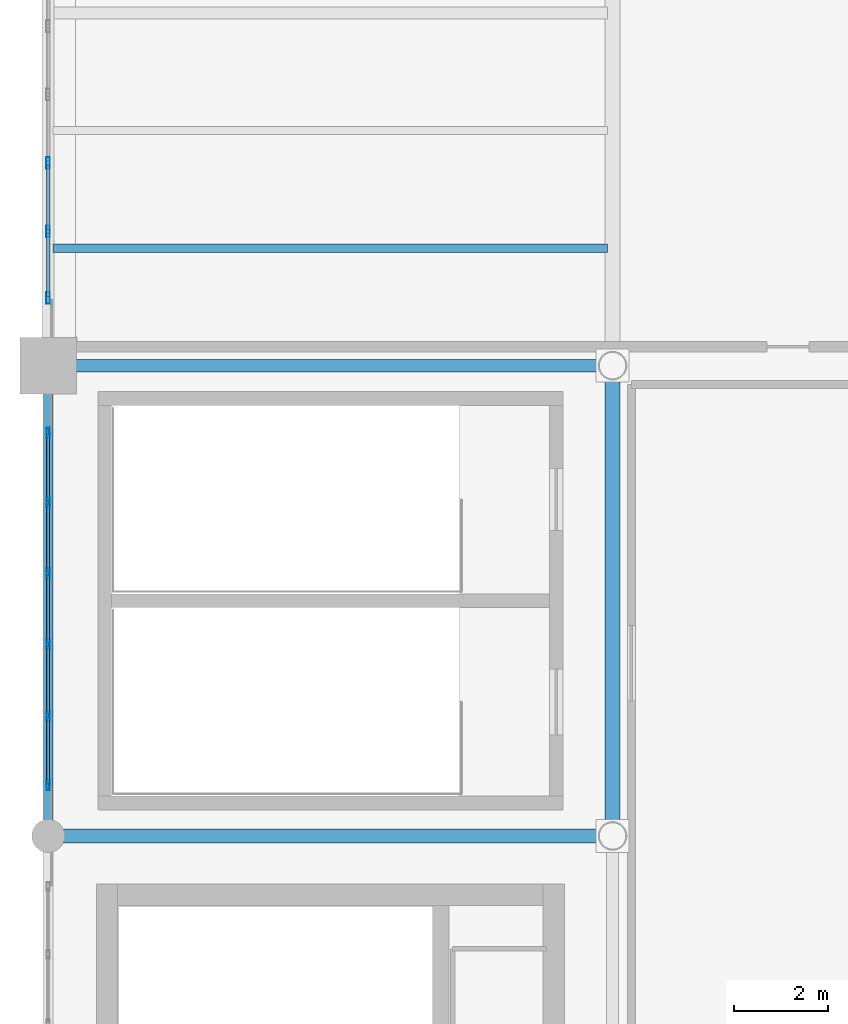
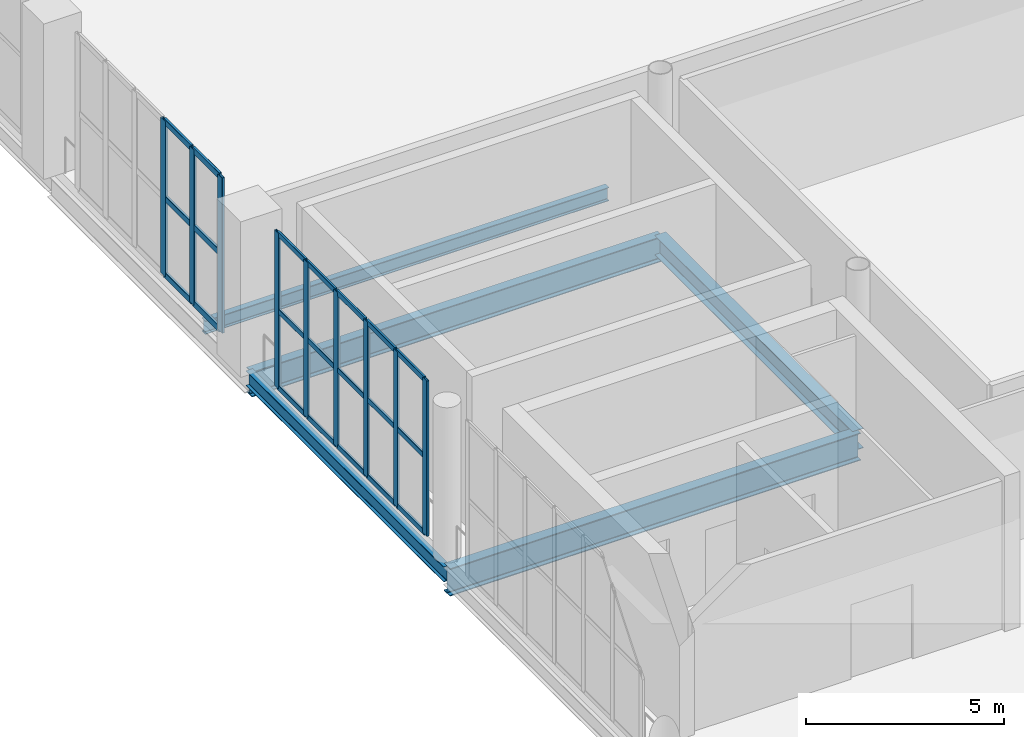
# One storey, part 15 of 49: 30 members, 5 beams, 2 elements without a shape of their own.
"""IFC4 building model written with IfcOpenShell, lengths in metres."""

from ifc_helpers import new_model, si_unit, direction, frame, origin, origin_2d, place, context, subcontext, project, spatial, hollow_rectangle, i_section, extrude, material, layer, layer_set, material_profile, profile_set, type_object, element, aggregate, save


model = new_model("IFC4")

# Units and contexts
model_context = context("Model", 3, precision=1e-05, world=origin(), true_north=direction((0.0, 1.0)))
body_context = subcontext(model_context, "Body", "Model", "MODEL_VIEW")
ifc_project = project(units=[si_unit("LENGTHUNIT", "METRE"), si_unit("AREAUNIT", "SQUARE_METRE"), si_unit("VOLUMEUNIT", "CUBIC_METRE"), si_unit("PLANEANGLEUNIT", "RADIAN"), si_unit("MASSUNIT", "GRAM", prefix="KILO")], contexts=[model_context])

# Site, building, storey
site_placement = place(None, origin())
site = spatial("IfcSite", under=ifc_project, at=site_placement, CompositionType="ELEMENT")
building_placement = place(site_placement, origin())
building = spatial("IfcBuilding", under=site, at=building_placement, Name="Brinegate Civic Arena", CompositionType="ELEMENT")
storey_placement = place(building_placement, frame((0.0, 0.0, 24.60009765625)))
storey = spatial("IfcBuildingStorey", under=building, at=storey_placement, Name="L05", CompositionType="ELEMENT", Elevation=24.60009765625)

# Curtain wall, members
ifc_material_1 = material(Name="Marine grade aluminium", Category="aluminium")
ifc_layer = layer(ifc_material_1, 0.199951171875, Name="Marine grade aluminium")
ifc_layer_set = layer_set([ifc_layer], Name="Marine grade aluminium")
curtain_wall_type = type_object("IfcCurtainWallType", Name="CW-BOWL-GLAZED-01", PredefinedType="USERDEFINED", material=ifc_layer_set)
curtain_wall_1_placement = place(storey_placement, origin())
curtain_wall_1 = element("IfcCurtainWall", 1, at=curtain_wall_1_placement, inside=storey, type_object=curtain_wall_type, Name="Curtain Wall CWA-157", ObjectType="GLAZED CURTAIN WALL", PredefinedType="USERDEFINED")
ifc_material_profile_1 = material_profile(ifc_material_1, hollow_rectangle(XDim=0.06494140625, YDim=0.219970703125, WallThickness=0.006103515625, InnerFilletRadius=0.00390625, OuterFilletRadius=0.008056640625, at=origin_2d()), Name="MUL65X220")
ifc_profile_set_1 = profile_set([ifc_material_profile_1], Name="Marine grade aluminium")
member_type_1 = type_object("IfcMemberType", Name="CW-MULLION-65X220", PredefinedType="MULLION", material=ifc_profile_set_1)
member_1_placement = place(storey_placement, frame((48.0, 43.077392578125, 0.0), z_axis=(0.0, 0.0, 1.0), x_axis=(-1.0, 0.0, 0.0)))
member_1 = element("IfcMember", 2, at=member_1_placement, type_object=member_type_1, Name="CWA-157 mullion 1", PredefinedType="MULLION", context=body_context, shape_type="SweptSolid", body=[
    extrude(hollow_rectangle(XDim=0.06494140625, YDim=0.219970703125, WallThickness=0.006103515625, InnerFilletRadius=0.00390625, OuterFilletRadius=0.008056640625, at=origin_2d()), origin(), (0.0, 0.0, 1.0), 4.7998046875),
])
member_2_placement = place(storey_placement, frame((48.0, 44.55615234375, 0.0), z_axis=(0.0, 0.0, 1.0), x_axis=(-1.0, 0.0, 0.0)))
member_2 = element("IfcMember", 3, at=member_2_placement, type_object=member_type_1, Name="CWA-157 mullion 2", PredefinedType="MULLION", context=body_context, shape_type="SweptSolid", body=[
    extrude(hollow_rectangle(XDim=0.06494140625, YDim=0.219970703125, WallThickness=0.006103515625, InnerFilletRadius=0.00390625, OuterFilletRadius=0.008056640625, at=origin_2d()), origin(), (0.0, 0.0, 1.0), 4.7998046875),
])
member_3_placement = place(storey_placement, frame((48.0, 46.0673828125, 0.0), z_axis=(0.0, 0.0, 1.0), x_axis=(-1.0, 0.0, 0.0)))
member_3 = element("IfcMember", 4, at=member_3_placement, type_object=member_type_1, Name="CWA-157 mullion 3", PredefinedType="MULLION", context=body_context, shape_type="SweptSolid", body=[
    extrude(hollow_rectangle(XDim=0.06494140625, YDim=0.219970703125, WallThickness=0.006103515625, InnerFilletRadius=0.00390625, OuterFilletRadius=0.008056640625, at=origin_2d()), origin(), (0.0, 0.0, 1.0), 4.7998046875),
])
member_4_placement = place(storey_placement, frame((48.0, 47.57861328125, 0.0), z_axis=(0.0, 0.0, 1.0), x_axis=(-1.0, 0.0, 0.0)))
member_4 = element("IfcMember", 5, at=member_4_placement, type_object=member_type_1, Name="CWA-157 mullion 4", PredefinedType="MULLION", context=body_context, shape_type="SweptSolid", body=[
    extrude(hollow_rectangle(XDim=0.06494140625, YDim=0.219970703125, WallThickness=0.006103515625, InnerFilletRadius=0.00390625, OuterFilletRadius=0.008056640625, at=origin_2d()), origin(), (0.0, 0.0, 1.0), 4.7998046875),
])
member_5_placement = place(storey_placement, frame((48.0, 49.08984375, 0.0), z_axis=(0.0, 0.0, 1.0), x_axis=(-1.0, 0.0, 0.0)))
member_5 = element("IfcMember", 6, at=member_5_placement, type_object=member_type_1, Name="CWA-157 mullion 5", PredefinedType="MULLION", context=body_context, shape_type="SweptSolid", body=[
    extrude(hollow_rectangle(XDim=0.06494140625, YDim=0.219970703125, WallThickness=0.006103515625, InnerFilletRadius=0.00390625, OuterFilletRadius=0.008056640625, at=origin_2d()), origin(), (0.0, 0.0, 1.0), 4.7998046875),
])
member_6_placement = place(storey_placement, frame((48.0, 50.568603515625, 0.0), z_axis=(0.0, 0.0, 1.0), x_axis=(-1.0, 0.0, 0.0)))
member_6 = element("IfcMember", 7, at=member_6_placement, type_object=member_type_1, Name="CWA-157 mullion 6", PredefinedType="MULLION", context=body_context, shape_type="SweptSolid", body=[
    extrude(hollow_rectangle(XDim=0.06494140625, YDim=0.219970703125, WallThickness=0.006103515625, InnerFilletRadius=0.00390625, OuterFilletRadius=0.008056640625, at=origin_2d()), origin(), (0.0, 0.0, 1.0), 4.7998046875),
])

curtain_wall_2_placement = place(storey_placement, origin())
curtain_wall_2 = element("IfcCurtainWall", 8, at=curtain_wall_2_placement, inside=storey, type_object=curtain_wall_type, Name="Curtain Wall CWA-158", ObjectType="GLAZED CURTAIN WALL", PredefinedType="USERDEFINED")
ifc_material_profile_2 = material_profile(ifc_material_1, hollow_rectangle(XDim=0.074951171875, YDim=0.25, WallThickness=0.006103515625, InnerFilletRadius=0.00390625, OuterFilletRadius=0.008056640625, at=origin_2d()), Name="MUL75X250")
ifc_profile_set_2 = profile_set([ifc_material_profile_2], Name="Marine grade aluminium")
member_type_2 = type_object("IfcMemberType", Name="CW-MULLION-75X250", PredefinedType="MULLION", material=ifc_profile_set_2)
member_7_placement = place(storey_placement, frame((48.0, 53.4365234375, 0.0), z_axis=(0.0, 0.0, 1.0), x_axis=(-1.0, 0.0, 0.0)))
member_7 = element("IfcMember", 9, at=member_7_placement, type_object=member_type_2, Name="CWA-158 mullion 1", PredefinedType="MULLION", context=body_context, shape_type="SweptSolid", body=[
    extrude(hollow_rectangle(XDim=0.074951171875, YDim=0.25, WallThickness=0.006103515625, InnerFilletRadius=0.00390625, OuterFilletRadius=0.008056640625, at=origin_2d()), origin(), (0.0, 0.0, 1.0), 4.7998046875),
])
member_8_placement = place(storey_placement, frame((48.0, 54.853515625, 0.0), z_axis=(0.0, 0.0, 1.0), x_axis=(-1.0, 0.0, 0.0)))
member_8 = element("IfcMember", 10, at=member_8_placement, type_object=member_type_2, Name="CWA-158 mullion 2", PredefinedType="MULLION", context=body_context, shape_type="SweptSolid", body=[
    extrude(hollow_rectangle(XDim=0.074951171875, YDim=0.25, WallThickness=0.006103515625, InnerFilletRadius=0.00390625, OuterFilletRadius=0.008056640625, at=origin_2d()), origin(), (0.0, 0.0, 1.0), 4.7998046875),
])
member_9_placement = place(storey_placement, frame((48.0, 56.30810546875, 0.0), z_axis=(0.0, 0.0, 1.0), x_axis=(-1.0, 0.0, 0.0)))
member_9 = element("IfcMember", 11, at=member_9_placement, type_object=member_type_2, Name="CWA-158 mullion 3", PredefinedType="MULLION", context=body_context, shape_type="SweptSolid", body=[
    extrude(hollow_rectangle(XDim=0.074951171875, YDim=0.25, WallThickness=0.006103515625, InnerFilletRadius=0.00390625, OuterFilletRadius=0.008056640625, at=origin_2d()), origin(), (0.0, 0.0, 1.0), 4.7998046875),
])

# Member
ifc_material_profile_3 = material_profile(ifc_material_1, hollow_rectangle(XDim=0.06494140625, YDim=0.1650390625, WallThickness=0.0048828125, InnerFilletRadius=0.00390625, OuterFilletRadius=0.008056640625, at=origin_2d()), Name="TRN65X165")
ifc_profile_set_3 = profile_set([ifc_material_profile_3], Name="Marine grade aluminium")
member_type_3 = type_object("IfcMemberType", Name="CW-TRANSOM-65X165", PredefinedType="USERDEFINED", material=ifc_profile_set_3)
member_10_placement = place(storey_placement, frame((48.0, 43.110107421875, 0.032470703125), z_axis=(0.0, 1.0, 0.0), x_axis=(-1.0, 0.0, 0.0)))
member_10 = element("IfcMember", 12, at=member_10_placement, type_object=member_type_3, Name="CWA-157 transom 1.1", ObjectType="TRANSOM", PredefinedType="USERDEFINED", context=body_context, shape_type="SweptSolid", body=[
    extrude(hollow_rectangle(XDim=0.06494140625, YDim=0.1650390625, WallThickness=0.0048828125, InnerFilletRadius=0.00390625, OuterFilletRadius=0.008056640625, at=origin_2d()), origin(), (0.0, 0.0, 1.0), 1.41357421875),
])

member_11_placement = place(storey_placement, frame((48.0, 43.110107421875, 2.39990234375), z_axis=(0.0, 1.0, 0.0), x_axis=(-1.0, 0.0, 0.0)))
member_11 = element("IfcMember", 13, at=member_11_placement, type_object=member_type_3, Name="CWA-157 transom 1.2", ObjectType="TRANSOM", PredefinedType="USERDEFINED", context=body_context, shape_type="SweptSolid", body=[
    extrude(hollow_rectangle(XDim=0.06494140625, YDim=0.1650390625, WallThickness=0.0048828125, InnerFilletRadius=0.00390625, OuterFilletRadius=0.008056640625, at=origin_2d()), origin(), (0.0, 0.0, 1.0), 1.41357421875),
])

member_12_placement = place(storey_placement, frame((48.0, 43.110107421875, 4.767333984375), z_axis=(0.0, 1.0, 0.0), x_axis=(-1.0, 0.0, 0.0)))
member_12 = element("IfcMember", 14, at=member_12_placement, type_object=member_type_3, Name="CWA-157 transom 1.3", ObjectType="TRANSOM", PredefinedType="USERDEFINED", context=body_context, shape_type="SweptSolid", body=[
    extrude(hollow_rectangle(XDim=0.06494140625, YDim=0.1650390625, WallThickness=0.0048828125, InnerFilletRadius=0.00390625, OuterFilletRadius=0.008056640625, at=origin_2d()), origin(), (0.0, 0.0, 1.0), 1.41357421875),
])

member_13_placement = place(storey_placement, frame((48.0, 44.588623046875, 0.032470703125), z_axis=(0.0, 1.0, 0.0), x_axis=(-1.0, 0.0, 0.0)))
member_13 = element("IfcMember", 15, at=member_13_placement, type_object=member_type_3, Name="CWA-157 transom 2.1", ObjectType="TRANSOM", PredefinedType="USERDEFINED", context=body_context, shape_type="SweptSolid", body=[
    extrude(hollow_rectangle(XDim=0.06494140625, YDim=0.1650390625, WallThickness=0.0048828125, InnerFilletRadius=0.00390625, OuterFilletRadius=0.008056640625, at=origin_2d()), origin(), (0.0, 0.0, 1.0), 1.4462890625),
])

member_14_placement = place(storey_placement, frame((48.0, 44.588623046875, 2.39990234375), z_axis=(0.0, 1.0, 0.0), x_axis=(-1.0, 0.0, 0.0)))
member_14 = element("IfcMember", 16, at=member_14_placement, type_object=member_type_3, Name="CWA-157 transom 2.2", ObjectType="TRANSOM", PredefinedType="USERDEFINED", context=body_context, shape_type="SweptSolid", body=[
    extrude(hollow_rectangle(XDim=0.06494140625, YDim=0.1650390625, WallThickness=0.0048828125, InnerFilletRadius=0.00390625, OuterFilletRadius=0.008056640625, at=origin_2d()), origin(), (0.0, 0.0, 1.0), 1.4462890625),
])

member_15_placement = place(storey_placement, frame((48.0, 44.588623046875, 4.767333984375), z_axis=(0.0, 1.0, 0.0), x_axis=(-1.0, 0.0, 0.0)))
member_15 = element("IfcMember", 17, at=member_15_placement, type_object=member_type_3, Name="CWA-157 transom 2.3", ObjectType="TRANSOM", PredefinedType="USERDEFINED", context=body_context, shape_type="SweptSolid", body=[
    extrude(hollow_rectangle(XDim=0.06494140625, YDim=0.1650390625, WallThickness=0.0048828125, InnerFilletRadius=0.00390625, OuterFilletRadius=0.008056640625, at=origin_2d()), origin(), (0.0, 0.0, 1.0), 1.4462890625),
])

member_16_placement = place(storey_placement, frame((48.0, 46.099853515625, 0.032470703125), z_axis=(0.0, 1.0, 0.0), x_axis=(-1.0, 0.0, 0.0)))
member_16 = element("IfcMember", 18, at=member_16_placement, type_object=member_type_3, Name="CWA-157 transom 3.1", ObjectType="TRANSOM", PredefinedType="USERDEFINED", context=body_context, shape_type="SweptSolid", body=[
    extrude(hollow_rectangle(XDim=0.06494140625, YDim=0.1650390625, WallThickness=0.0048828125, InnerFilletRadius=0.00390625, OuterFilletRadius=0.008056640625, at=origin_2d()), origin(), (0.0, 0.0, 1.0), 1.4462890625),
])

member_17_placement = place(storey_placement, frame((48.0, 46.099853515625, 2.39990234375), z_axis=(0.0, 1.0, 0.0), x_axis=(-1.0, 0.0, 0.0)))
member_17 = element("IfcMember", 19, at=member_17_placement, type_object=member_type_3, Name="CWA-157 transom 3.2", ObjectType="TRANSOM", PredefinedType="USERDEFINED", context=body_context, shape_type="SweptSolid", body=[
    extrude(hollow_rectangle(XDim=0.06494140625, YDim=0.1650390625, WallThickness=0.0048828125, InnerFilletRadius=0.00390625, OuterFilletRadius=0.008056640625, at=origin_2d()), origin(), (0.0, 0.0, 1.0), 1.4462890625),
])

member_18_placement = place(storey_placement, frame((48.0, 46.099853515625, 4.767333984375), z_axis=(0.0, 1.0, 0.0), x_axis=(-1.0, 0.0, 0.0)))
member_18 = element("IfcMember", 20, at=member_18_placement, type_object=member_type_3, Name="CWA-157 transom 3.3", ObjectType="TRANSOM", PredefinedType="USERDEFINED", context=body_context, shape_type="SweptSolid", body=[
    extrude(hollow_rectangle(XDim=0.06494140625, YDim=0.1650390625, WallThickness=0.0048828125, InnerFilletRadius=0.00390625, OuterFilletRadius=0.008056640625, at=origin_2d()), origin(), (0.0, 0.0, 1.0), 1.4462890625),
])

member_19_placement = place(storey_placement, frame((48.0, 47.611083984375, 0.032470703125), z_axis=(0.0, 1.0, 0.0), x_axis=(-1.0, 0.0, 0.0)))
member_19 = element("IfcMember", 21, at=member_19_placement, type_object=member_type_3, Name="CWA-157 transom 4.1", ObjectType="TRANSOM", PredefinedType="USERDEFINED", context=body_context, shape_type="SweptSolid", body=[
    extrude(hollow_rectangle(XDim=0.06494140625, YDim=0.1650390625, WallThickness=0.0048828125, InnerFilletRadius=0.00390625, OuterFilletRadius=0.008056640625, at=origin_2d()), origin(), (0.0, 0.0, 1.0), 1.4462890625),
])

member_20_placement = place(storey_placement, frame((48.0, 47.611083984375, 2.39990234375), z_axis=(0.0, 1.0, 0.0), x_axis=(-1.0, 0.0, 0.0)))
member_20 = element("IfcMember", 22, at=member_20_placement, type_object=member_type_3, Name="CWA-157 transom 4.2", ObjectType="TRANSOM", PredefinedType="USERDEFINED", context=body_context, shape_type="SweptSolid", body=[
    extrude(hollow_rectangle(XDim=0.06494140625, YDim=0.1650390625, WallThickness=0.0048828125, InnerFilletRadius=0.00390625, OuterFilletRadius=0.008056640625, at=origin_2d()), origin(), (0.0, 0.0, 1.0), 1.4462890625),
])

member_21_placement = place(storey_placement, frame((48.0, 47.611083984375, 4.767333984375), z_axis=(0.0, 1.0, 0.0), x_axis=(-1.0, 0.0, 0.0)))
member_21 = element("IfcMember", 23, at=member_21_placement, type_object=member_type_3, Name="CWA-157 transom 4.3", ObjectType="TRANSOM", PredefinedType="USERDEFINED", context=body_context, shape_type="SweptSolid", body=[
    extrude(hollow_rectangle(XDim=0.06494140625, YDim=0.1650390625, WallThickness=0.0048828125, InnerFilletRadius=0.00390625, OuterFilletRadius=0.008056640625, at=origin_2d()), origin(), (0.0, 0.0, 1.0), 1.4462890625),
])

member_22_placement = place(storey_placement, frame((48.0, 49.122314453125, 0.032470703125), z_axis=(0.0, 1.0, 0.0), x_axis=(-1.0, 0.0, 0.0)))
member_22 = element("IfcMember", 24, at=member_22_placement, type_object=member_type_3, Name="CWA-157 transom 5.1", ObjectType="TRANSOM", PredefinedType="USERDEFINED", context=body_context, shape_type="SweptSolid", body=[
    extrude(hollow_rectangle(XDim=0.06494140625, YDim=0.1650390625, WallThickness=0.0048828125, InnerFilletRadius=0.00390625, OuterFilletRadius=0.008056640625, at=origin_2d()), origin(), (0.0, 0.0, 1.0), 1.41357421875),
])

member_23_placement = place(storey_placement, frame((48.0, 49.122314453125, 2.39990234375), z_axis=(0.0, 1.0, 0.0), x_axis=(-1.0, 0.0, 0.0)))
member_23 = element("IfcMember", 25, at=member_23_placement, type_object=member_type_3, Name="CWA-157 transom 5.2", ObjectType="TRANSOM", PredefinedType="USERDEFINED", context=body_context, shape_type="SweptSolid", body=[
    extrude(hollow_rectangle(XDim=0.06494140625, YDim=0.1650390625, WallThickness=0.0048828125, InnerFilletRadius=0.00390625, OuterFilletRadius=0.008056640625, at=origin_2d()), origin(), (0.0, 0.0, 1.0), 1.41357421875),
])

member_24_placement = place(storey_placement, frame((48.0, 49.122314453125, 4.767333984375), z_axis=(0.0, 1.0, 0.0), x_axis=(-1.0, 0.0, 0.0)))
member_24 = element("IfcMember", 26, at=member_24_placement, type_object=member_type_3, Name="CWA-157 transom 5.3", ObjectType="TRANSOM", PredefinedType="USERDEFINED", context=body_context, shape_type="SweptSolid", body=[
    extrude(hollow_rectangle(XDim=0.06494140625, YDim=0.1650390625, WallThickness=0.0048828125, InnerFilletRadius=0.00390625, OuterFilletRadius=0.008056640625, at=origin_2d()), origin(), (0.0, 0.0, 1.0), 1.41357421875),
])

aggregate(curtain_wall_1, [member_1, member_2, member_3, member_4, member_5, member_6, member_10, member_11, member_12, member_13, member_14, member_15, member_16, member_17, member_18, member_19, member_20, member_21, member_22, member_23, member_24])

ifc_material_profile_4 = material_profile(ifc_material_1, hollow_rectangle(XDim=0.074951171875, YDim=0.18994140625, WallThickness=0.006103515625, InnerFilletRadius=0.00390625, OuterFilletRadius=0.008056640625, at=origin_2d()), Name="TRN75X190")
ifc_profile_set_4 = profile_set([ifc_material_profile_4], Name="Marine grade aluminium")
member_type_4 = type_object("IfcMemberType", Name="CW-TRANSOM-75X190", PredefinedType="USERDEFINED", material=ifc_profile_set_4)
member_25_placement = place(storey_placement, frame((48.0, 53.47412109375, 0.037353515625), z_axis=(0.0, 1.0, 0.0), x_axis=(-1.0, 0.0, 0.0)))
member_25 = element("IfcMember", 27, at=member_25_placement, type_object=member_type_4, Name="CWA-158 transom 1.1", ObjectType="TRANSOM", PredefinedType="USERDEFINED", context=body_context, shape_type="SweptSolid", body=[
    extrude(hollow_rectangle(XDim=0.074951171875, YDim=0.18994140625, WallThickness=0.006103515625, InnerFilletRadius=0.00390625, OuterFilletRadius=0.008056640625, at=origin_2d()), origin(), (0.0, 0.0, 1.0), 1.342041015625),
])

member_26_placement = place(storey_placement, frame((48.0, 53.47412109375, 2.39990234375), z_axis=(0.0, 1.0, 0.0), x_axis=(-1.0, 0.0, 0.0)))
member_26 = element("IfcMember", 28, at=member_26_placement, type_object=member_type_4, Name="CWA-158 transom 1.2", ObjectType="TRANSOM", PredefinedType="USERDEFINED", context=body_context, shape_type="SweptSolid", body=[
    extrude(hollow_rectangle(XDim=0.074951171875, YDim=0.18994140625, WallThickness=0.006103515625, InnerFilletRadius=0.00390625, OuterFilletRadius=0.008056640625, at=origin_2d()), origin(), (0.0, 0.0, 1.0), 1.342041015625),
])

member_27_placement = place(storey_placement, frame((48.0, 53.47412109375, 4.762451171875), z_axis=(0.0, 1.0, 0.0), x_axis=(-1.0, 0.0, 0.0)))
member_27 = element("IfcMember", 29, at=member_27_placement, type_object=member_type_4, Name="CWA-158 transom 1.3", ObjectType="TRANSOM", PredefinedType="USERDEFINED", context=body_context, shape_type="SweptSolid", body=[
    extrude(hollow_rectangle(XDim=0.074951171875, YDim=0.18994140625, WallThickness=0.006103515625, InnerFilletRadius=0.00390625, OuterFilletRadius=0.008056640625, at=origin_2d()), origin(), (0.0, 0.0, 1.0), 1.342041015625),
])

member_28_placement = place(storey_placement, frame((48.0, 54.89111328125, 0.037353515625), z_axis=(0.0, 1.0, 0.0), x_axis=(-1.0, 0.0, 0.0)))
member_28 = element("IfcMember", 30, at=member_28_placement, type_object=member_type_4, Name="CWA-158 transom 2.1", ObjectType="TRANSOM", PredefinedType="USERDEFINED", context=body_context, shape_type="SweptSolid", body=[
    extrude(hollow_rectangle(XDim=0.074951171875, YDim=0.18994140625, WallThickness=0.006103515625, InnerFilletRadius=0.00390625, OuterFilletRadius=0.008056640625, at=origin_2d()), origin(), (0.0, 0.0, 1.0), 1.379638671875),
])

member_29_placement = place(storey_placement, frame((48.0, 54.89111328125, 2.39990234375), z_axis=(0.0, 1.0, 0.0), x_axis=(-1.0, 0.0, 0.0)))
member_29 = element("IfcMember", 31, at=member_29_placement, type_object=member_type_4, Name="CWA-158 transom 2.2", ObjectType="TRANSOM", PredefinedType="USERDEFINED", context=body_context, shape_type="SweptSolid", body=[
    extrude(hollow_rectangle(XDim=0.074951171875, YDim=0.18994140625, WallThickness=0.006103515625, InnerFilletRadius=0.00390625, OuterFilletRadius=0.008056640625, at=origin_2d()), origin(), (0.0, 0.0, 1.0), 1.379638671875),
])

member_30_placement = place(storey_placement, frame((48.0, 54.89111328125, 4.762451171875), z_axis=(0.0, 1.0, 0.0), x_axis=(-1.0, 0.0, 0.0)))
member_30 = element("IfcMember", 32, at=member_30_placement, type_object=member_type_4, Name="CWA-158 transom 2.3", ObjectType="TRANSOM", PredefinedType="USERDEFINED", context=body_context, shape_type="SweptSolid", body=[
    extrude(hollow_rectangle(XDim=0.074951171875, YDim=0.18994140625, WallThickness=0.006103515625, InnerFilletRadius=0.00390625, OuterFilletRadius=0.008056640625, at=origin_2d()), origin(), (0.0, 0.0, 1.0), 1.379638671875),
])

aggregate(curtain_wall_2, [member_7, member_8, member_9, member_25, member_26, member_27, member_28, member_29, member_30])

# Beams
ifc_material_2 = material(Name="Steel S355", Category="steel")
ifc_material_profile_5 = material_profile(ifc_material_2, i_section(OverallWidth=0.323974609375, OverallDepth=0.611083984375, WebThickness=0.012939453125, FlangeThickness=0.01904296875, FilletRadius=0.01611328125, at=origin_2d()), Name="W610X155")
ifc_profile_set_5 = profile_set([ifc_material_profile_5], Name="Steel S355")
beam_type_1 = type_object("IfcBeamType", Name="GIRDER-W610X155", PredefinedType="BEAM", material=ifc_profile_set_5)
beam_1_placement = place(storey_placement, frame((60.0, 42.0, -0.635009765625), z_axis=(0.0, 1.0, 0.0), x_axis=(-1.0, 0.0, 0.0)))
element("IfcBeam", 33, at=beam_1_placement, inside=storey, type_object=beam_type_1, Name="Floor Girder BM-L05-GY-05-04", PredefinedType="BEAM", context=body_context, shape_type="SweptSolid", body=[
    extrude(i_section(OverallWidth=0.323974609375, OverallDepth=0.611083984375, WebThickness=0.012939453125, FlangeThickness=0.01904296875, FilletRadius=0.01611328125, at=origin_2d()), origin(), (0.0, 0.0, 1.0), 10.0),
])
ifc_material_profile_6 = material_profile(ifc_material_2, i_section(OverallWidth=0.26806640625, OverallDepth=0.77001953125, WebThickness=0.01611328125, FlangeThickness=0.02490234375, FilletRadius=0.02001953125, at=origin_2d()), Name="W760X196")
ifc_profile_set_6 = profile_set([ifc_material_profile_6], Name="Steel S355")
beam_type_2 = type_object("IfcBeamType", Name="GIRDER-W760X196", PredefinedType="BEAM", material=ifc_profile_set_6)
beam_2_placement = place(storey_placement, frame((48.0, 52.0, -0.715087890625), z_axis=(1.0, 0.0, 0.0), x_axis=(0.0, 1.0, 0.0)))
element("IfcBeam", 34, at=beam_2_placement, inside=storey, type_object=beam_type_2, Name="Floor Girder BM-L05-GX-04-05", PredefinedType="BEAM", context=body_context, shape_type="SweptSolid", body=[
    extrude(i_section(OverallWidth=0.26806640625, OverallDepth=0.77001953125, WebThickness=0.01611328125, FlangeThickness=0.02490234375, FilletRadius=0.02001953125, at=origin_2d()), origin(), (0.0, 0.0, 1.0), 12.0),
])
ifc_material_profile_7 = material_profile(ifc_material_2, i_section(OverallWidth=0.2939453125, OverallDepth=0.85107421875, WebThickness=0.01611328125, FlangeThickness=0.027099609375, FilletRadius=0.02197265625, at=origin_2d()), Name="W840X226")
ifc_profile_set_7 = profile_set([ifc_material_profile_7], Name="Steel S355")
beam_type_3 = type_object("IfcBeamType", Name="GIRDER-W840X226", PredefinedType="BEAM", material=ifc_profile_set_7)
beam_3_placement = place(storey_placement, frame((48.0, 42.0, -0.755126953125), z_axis=(1.0, 0.0, 0.0), x_axis=(0.0, 1.0, 0.0)))
element("IfcBeam", 35, at=beam_3_placement, inside=storey, type_object=beam_type_3, Name="Floor Girder BM-L05-GX-04-04", PredefinedType="BEAM", context=body_context, shape_type="SweptSolid", body=[
    extrude(i_section(OverallWidth=0.2939453125, OverallDepth=0.85107421875, WebThickness=0.01611328125, FlangeThickness=0.027099609375, FilletRadius=0.02197265625, at=origin_2d()), origin(), (0.0, 0.0, 1.0), 12.0),
])
ifc_material_profile_8 = material_profile(ifc_material_2, i_section(OverallWidth=0.180908203125, OverallDepth=0.4169921875, WebThickness=0.010986328125, FlangeThickness=0.01806640625, FilletRadius=0.013916015625, at=origin_2d()), Name="W410X85")
ifc_profile_set_8 = profile_set([ifc_material_profile_8], Name="Steel S355")
beam_type_4 = type_object("IfcBeamType", Name="JOIST-W410X85", PredefinedType="JOIST", material=ifc_profile_set_8)
beam_4_placement = place(storey_placement, frame((48.10595703125, 54.5, -0.5380859375), z_axis=(1.0, 0.0, 0.0), x_axis=(0.0, 1.0, 0.0)))
element("IfcBeam", 36, at=beam_4_placement, inside=storey, type_object=beam_type_4, Name="Secondary Joist BM-L05-JX-04-05-1", PredefinedType="JOIST", context=body_context, shape_type="SweptSolid", body=[
    extrude(i_section(OverallWidth=0.180908203125, OverallDepth=0.4169921875, WebThickness=0.010986328125, FlangeThickness=0.01806640625, FilletRadius=0.013916015625, at=origin_2d()), origin(), (0.0, 0.0, 1.0), 11.7880859375),
])
ifc_material_profile_9 = material_profile(ifc_material_2, i_section(OverallWidth=0.193115234375, OverallDepth=0.466064453125, WebThickness=0.010986328125, FlangeThickness=0.01904296875, FilletRadius=0.014892578125, at=origin_2d()), Name="W460X97")
ifc_profile_set_9 = profile_set([ifc_material_profile_9], Name="Steel S355")
beam_type_5 = type_object("IfcBeamType", Name="SPANDREL-W460X97", PredefinedType="SPANDREL", material=ifc_profile_set_9)
beam_5_placement = place(storey_placement, frame((48.0, 42.0, -0.56298828125), z_axis=(0.0, 1.0, 0.0), x_axis=(-1.0, 0.0, 0.0)))
element("IfcBeam", 37, at=beam_5_placement, inside=storey, type_object=beam_type_5, Name="Floor Girder BM-L05-GY-04-04", PredefinedType="SPANDREL", context=body_context, shape_type="SweptSolid", body=[
    extrude(i_section(OverallWidth=0.193115234375, OverallDepth=0.466064453125, WebThickness=0.010986328125, FlangeThickness=0.01904296875, FilletRadius=0.014892578125, at=origin_2d()), origin(), (0.0, 0.0, 1.0), 10.0),
])

save(model, "model.ifc")
